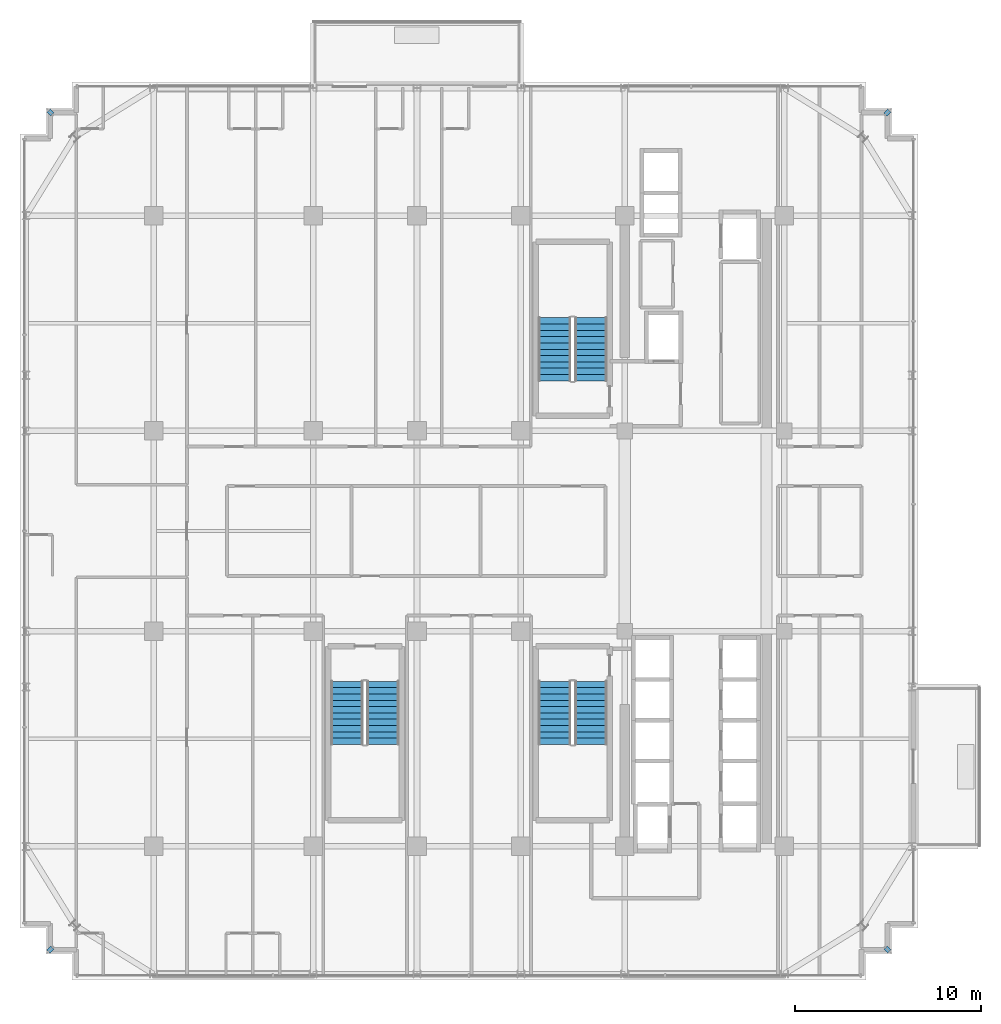
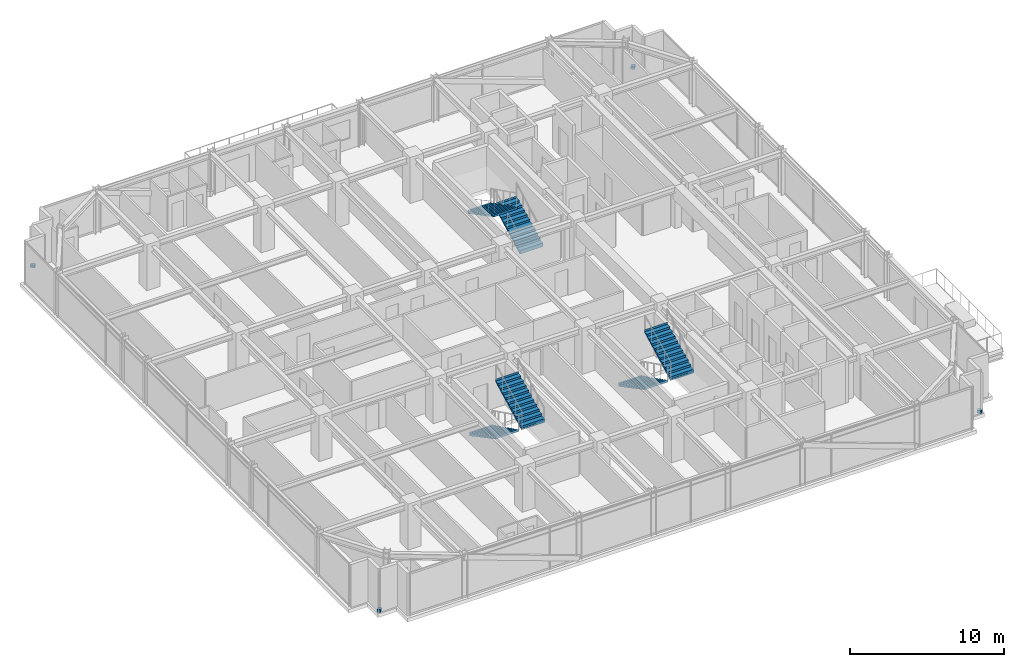
# One storey, part 40 of 43: 6 stair flights, 4 discrete accessories, 3 elements without a shape of their own.
"""IFC4 building model written with IfcOpenShell, lengths in metres."""

from ifc_helpers import new_model, si_unit, direction, frame, origin, origin_2d, place, context, subcontext, project, spatial, polyline, rectangle, outline, extrude, source, transform, mapped, material, layer, layer_set, type_object, element, aggregate, save


model = new_model("IFC4")

# Units and contexts
model_context = context("Model", 3, precision=1e-05, world=origin(), true_north=direction((0.0, 1.0)))
body_context = subcontext(model_context, "Body", "Model", "MODEL_VIEW")
ifc_project = project(units=[si_unit("LENGTHUNIT", "METRE"), si_unit("AREAUNIT", "SQUARE_METRE"), si_unit("VOLUMEUNIT", "CUBIC_METRE"), si_unit("PLANEANGLEUNIT", "RADIAN"), si_unit("MASSUNIT", "GRAM", prefix="KILO")], contexts=[model_context])

# Site, building, storey
site_placement = place(None, origin())
site = spatial("IfcSite", under=ifc_project, at=site_placement, CompositionType="ELEMENT")
building_placement = place(site_placement, origin())
building = spatial("IfcBuilding", under=site, at=building_placement, Name="Nahalor Promenade Grand Hotel", CompositionType="ELEMENT")
storey_placement = place(building_placement, frame((0.0, 0.0, 204.89990234375)))
storey = spatial("IfcBuildingStorey", under=building, at=storey_placement, Name="L52", CompositionType="ELEMENT", Elevation=204.89990234375)

# Stair, stair flights
ifc_material_1 = material(Name="Concrete B-50 (C40/50)", Category="concrete")
stair_type_1 = type_object("IfcStairType", Name="Stair-ST1", PredefinedType="HALF_TURN_STAIR", material=ifc_material_1)
stair_1_placement = place(storey_placement, origin())
stair_1 = element("IfcStair", 1, at=stair_1_placement, inside=storey, type_object=stair_type_1, Name="L52 ST1", PredefinedType="HALF_TURN_STAIR")
ifc_layer_1 = layer(ifc_material_1, 0.179931640625)
ifc_layer_set_1 = layer_set([ifc_layer_1], Name="Concrete B-50 (C40/50)")
stair_flight_type_1 = type_object("IfcStairFlightType", Name="Flight-ST1", PredefinedType="STRAIGHT", material=ifc_layer_set_1)
shared_shape_1 = source(origin(), body_context, "Body", "SweptSolid", [
    extrude(outline(polyline([(-0.00390625, -0.1201171875), (-0.00390625, 0.0), (0.0, 0.0), (0.0, 0.168212890625), (0.340087890625, 0.168212890625), (0.340087890625, 0.33642578125), (0.679931640625, 0.33642578125), (0.679931640625, 0.504638671875), (1.02001953125, 0.504638671875), (1.02001953125, 0.672607421875), (1.360107421875, 0.672607421875), (1.360107421875, 0.8408203125), (1.699951171875, 0.8408203125), (1.699951171875, 1.009033203125), (2.0400390625, 1.009033203125), (2.0400390625, 1.17724609375), (2.3798828125, 1.17724609375), (2.3798828125, 1.345458984375), (2.719970703125, 1.345458984375), (2.719970703125, 1.513671875), (3.06005859375, 1.513671875), (3.06005859375, 1.681884765625), (3.39990234375, 1.681884765625), (3.39990234375, 1.85009765625), (3.404052734375, 1.85009765625), (3.404052734375, 1.669921875), (0.02001953125, -0.1201171875), (-0.00390625, -0.1201171875)])), frame((0.0, 0.875, 0.0), z_axis=(0.0, -1.0, 0.0), x_axis=(1.0, 0.0, 0.0)), (0.0, 0.0, 1.0), 1.75),
])
stair_flight_1_placement = place(storey_placement, frame((6.574951171875, 8.10009765625, 0.0), z_axis=(0.0, 0.0, 1.0), x_axis=(0.0, 1.0, 0.0)))
stair_flight_1 = element("IfcStairFlight", 2, at=stair_flight_1_placement, type_object=stair_flight_type_1, Name="ST1 flight 1", NumberOfRisers=11, NumberOfTreads=10, PredefinedType="STRAIGHT", RiserHeight=0.168181818, TreadLength=0.34, context=body_context, shape_type="MappedRepresentation", body=[
    mapped(shared_shape_1, transform((0.0, 0.0, 0.0), scale=1.0)),
])
stair_flight_2_placement = place(storey_placement, frame((4.625, 11.5, 1.85009765625), z_axis=(0.0, 0.0, 1.0), x_axis=(0.0, -1.0, 0.0)))
stair_flight_2 = element("IfcStairFlight", 3, at=stair_flight_2_placement, type_object=stair_flight_type_1, Name="ST1 flight 2", NumberOfRisers=11, NumberOfTreads=10, PredefinedType="STRAIGHT", RiserHeight=0.168181818, TreadLength=0.34, context=body_context, shape_type="MappedRepresentation", body=[
    mapped(shared_shape_1, transform((0.0, 0.0, 0.0), scale=1.0)),
])
aggregate(stair_1, [stair_flight_1, stair_flight_2])

stair_type_2 = type_object("IfcStairType", Name="Stair-ST2", PredefinedType="HALF_TURN_STAIR", material=ifc_material_1)
stair_2_placement = place(storey_placement, origin())
stair_2 = element("IfcStair", 4, at=stair_2_placement, inside=storey, type_object=stair_type_2, Name="L52 ST2", PredefinedType="HALF_TURN_STAIR")
ifc_layer_2 = layer(ifc_material_1, 0.18994140625)
ifc_layer_set_2 = layer_set([ifc_layer_2], Name="Concrete B-50 (C40/50)")
stair_flight_type_2 = type_object("IfcStairFlightType", Name="Flight-ST2", PredefinedType="STRAIGHT", material=ifc_layer_set_2)
shared_shape_2 = source(origin(), body_context, "Body", "SweptSolid", [
    extrude(outline(polyline([(-0.00390625, -0.1201171875), (-0.00390625, 0.0), (0.0, 0.0), (0.0, 0.168212890625), (0.340087890625, 0.168212890625), (0.340087890625, 0.33642578125), (0.679931640625, 0.33642578125), (0.679931640625, 0.504638671875), (1.02001953125, 0.504638671875), (1.02001953125, 0.672607421875), (1.360107421875, 0.672607421875), (1.360107421875, 0.8408203125), (1.699951171875, 0.8408203125), (1.699951171875, 1.009033203125), (2.0400390625, 1.009033203125), (2.0400390625, 1.17724609375), (2.3798828125, 1.17724609375), (2.3798828125, 1.345458984375), (2.719970703125, 1.345458984375), (2.719970703125, 1.513671875), (3.06005859375, 1.513671875), (3.06005859375, 1.681884765625), (3.39990234375, 1.681884765625), (3.39990234375, 1.85009765625), (3.404052734375, 1.85009765625), (3.404052734375, 1.669921875), (0.02001953125, -0.1201171875), (-0.00390625, -0.1201171875)])), frame((0.0, 0.875, 0.0), z_axis=(0.0, -1.0, 0.0), x_axis=(1.0, 0.0, 0.0)), (0.0, 0.0, 1.0), 1.75),
])
stair_flight_3_placement = place(storey_placement, frame((4.625, -8.10009765625, 0.0), z_axis=(0.0, 0.0, 1.0), x_axis=(0.0, -1.0, 0.0)))
stair_flight_3 = element("IfcStairFlight", 5, at=stair_flight_3_placement, type_object=stair_flight_type_2, Name="ST2 flight 1", NumberOfRisers=11, NumberOfTreads=10, PredefinedType="STRAIGHT", RiserHeight=0.168181818, TreadLength=0.34, context=body_context, shape_type="MappedRepresentation", body=[
    mapped(shared_shape_2, transform((0.0, 0.0, 0.0), scale=1.0)),
])
stair_flight_4_placement = place(storey_placement, frame((6.574951171875, -11.5, 1.85009765625), z_axis=(0.0, 0.0, 1.0), x_axis=(0.0, 1.0, 0.0)))
stair_flight_4 = element("IfcStairFlight", 6, at=stair_flight_4_placement, type_object=stair_flight_type_2, Name="ST2 flight 2", NumberOfRisers=11, NumberOfTreads=10, PredefinedType="STRAIGHT", RiserHeight=0.168181818, TreadLength=0.34, context=body_context, shape_type="MappedRepresentation", body=[
    mapped(shared_shape_2, transform((0.0, 0.0, 0.0), scale=1.0)),
])
aggregate(stair_2, [stair_flight_3, stair_flight_4])

stair_type_3 = type_object("IfcStairType", Name="Stair-ST3", PredefinedType="HALF_TURN_STAIR", material=ifc_material_1)
stair_3_placement = place(storey_placement, origin())
stair_3 = element("IfcStair", 7, at=stair_3_placement, inside=storey, type_object=stair_type_3, Name="L52 ST3", PredefinedType="HALF_TURN_STAIR")
ifc_layer_3 = layer(ifc_material_1, 0.199951171875)
ifc_layer_set_3 = layer_set([ifc_layer_3], Name="Concrete B-50 (C40/50)")
stair_flight_type_3 = type_object("IfcStairFlightType", Name="Flight-ST3", PredefinedType="STRAIGHT", material=ifc_layer_set_3)
shared_shape_3 = source(origin(), body_context, "Body", "SweptSolid", [
    extrude(outline(polyline([(-0.00390625, -0.1201171875), (-0.00390625, 0.0), (0.0, 0.0), (0.0, 0.168212890625), (0.340087890625, 0.168212890625), (0.340087890625, 0.33642578125), (0.679931640625, 0.33642578125), (0.679931640625, 0.504638671875), (1.02001953125, 0.504638671875), (1.02001953125, 0.672607421875), (1.360107421875, 0.672607421875), (1.360107421875, 0.8408203125), (1.699951171875, 0.8408203125), (1.699951171875, 1.009033203125), (2.0400390625, 1.009033203125), (2.0400390625, 1.17724609375), (2.3798828125, 1.17724609375), (2.3798828125, 1.345458984375), (2.719970703125, 1.345458984375), (2.719970703125, 1.513671875), (3.06005859375, 1.513671875), (3.06005859375, 1.681884765625), (3.39990234375, 1.681884765625), (3.39990234375, 1.85009765625), (3.404052734375, 1.85009765625), (3.404052734375, 1.669921875), (0.02001953125, -0.1201171875), (-0.00390625, -0.1201171875)])), frame((0.0, 0.875, 0.0), z_axis=(0.0, -1.0, 0.0), x_axis=(1.0, 0.0, 0.0)), (0.0, 0.0, 1.0), 1.75),
])
stair_flight_5_placement = place(storey_placement, frame((-6.574951171875, -8.10009765625, 0.0), z_axis=(0.0, 0.0, 1.0), x_axis=(0.0, -1.0, 0.0)))
stair_flight_5 = element("IfcStairFlight", 8, at=stair_flight_5_placement, type_object=stair_flight_type_3, Name="ST3 flight 1", NumberOfRisers=11, NumberOfTreads=10, PredefinedType="STRAIGHT", RiserHeight=0.168181818, TreadLength=0.34, context=body_context, shape_type="MappedRepresentation", body=[
    mapped(shared_shape_3, transform((0.0, 0.0, 0.0), scale=1.0)),
])
stair_flight_6_placement = place(storey_placement, frame((-4.625, -11.5, 1.85009765625), z_axis=(0.0, 0.0, 1.0), x_axis=(0.0, 1.0, 0.0)))
stair_flight_6 = element("IfcStairFlight", 9, at=stair_flight_6_placement, type_object=stair_flight_type_3, Name="ST3 flight 2", NumberOfRisers=11, NumberOfTreads=10, PredefinedType="STRAIGHT", RiserHeight=0.168181818, TreadLength=0.34, context=body_context, shape_type="MappedRepresentation", body=[
    mapped(shared_shape_3, transform((0.0, 0.0, 0.0), scale=1.0)),
])
aggregate(stair_3, [stair_flight_5, stair_flight_6])

# Discrete accessories
ifc_material_2 = material(Name="Steel S355JR", Category="steel")
discrete_accessory_type = type_object("IfcDiscreteAccessoryType", Name="Bracket-FacadeCleat-Bronze", PredefinedType="BRACKET", material=ifc_material_2)
shared_shape_4 = source(origin(), body_context, "Body", "SweptSolid", [
    extrude(rectangle(XDim=0.300048828125, YDim=0.239990234375, at=origin_2d()), origin(), (0.0, 0.0, 1.0), 0.219970703125),
])
for number, where, z_axis, x_axis, name in (
    (10, (-22.56005859375, -22.56005859375, 0.0), (0.0, 0.0, 1.0), (0.707106781187, 0.707106781187, 0.0), "BK-L52-SW"),
    (11, (22.56005859375, -22.56005859375, 0.0), (0.0, 0.0, 1.0), (-0.707106781187, 0.707106781187, 0.0), "BK-L52-SE"),
    (12, (22.56005859375, 22.56005859375, 0.0), (0.0, 0.0, 1.0), (0.707106781187, 0.707106781187, 0.0), "BK-L52-NE"),
    (13, (-22.56005859375, 22.56005859375, 0.0), (0.0, 0.0, 1.0), (-0.707106781187, 0.707106781187, 0.0), "BK-L52-NW"),
):
    element("IfcDiscreteAccessory", number, at=place(storey_placement, frame(where, z_axis=z_axis, x_axis=x_axis)), inside=storey, type_object=discrete_accessory_type, Name=name, PredefinedType="BRACKET", context=body_context, shape_type="MappedRepresentation", body=[
        mapped(shared_shape_4, transform((0.0, 0.0, 0.0), scale=1.0)),
    ])

save(model, "model.ifc")
